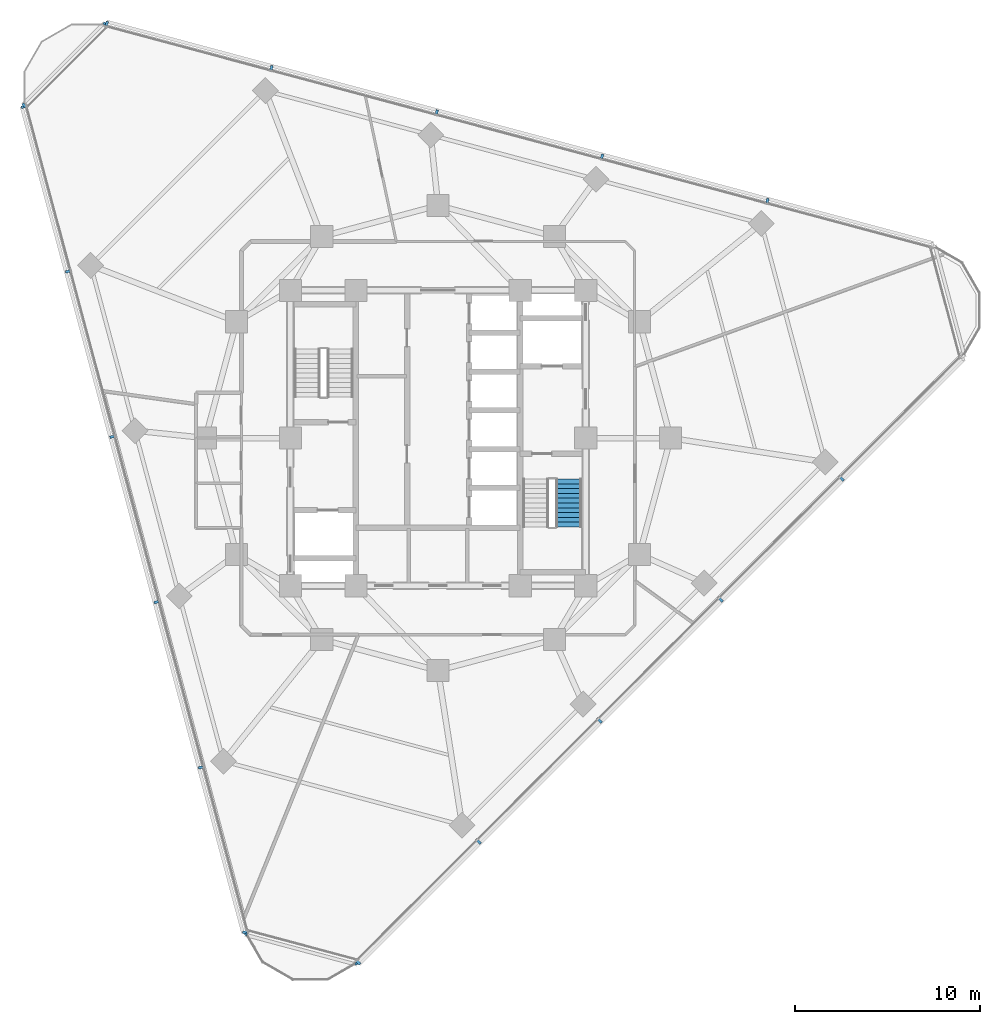
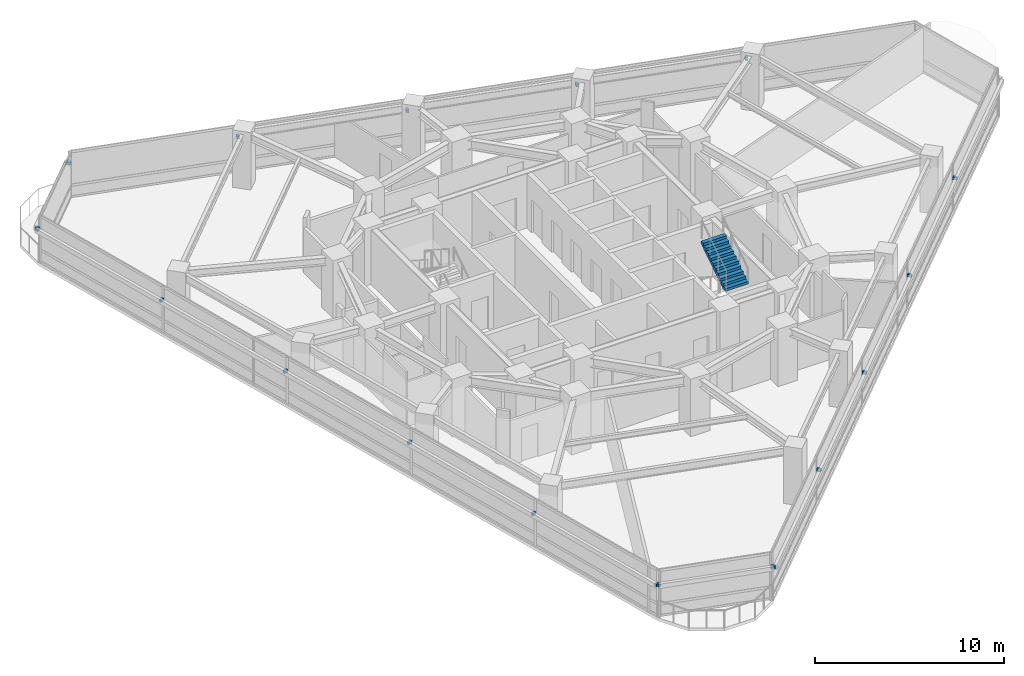
# One storey, part 9 of 13: 20 discrete accessories, 1 stair flight, 1 element without a shape of its own.
"""IFC4 building model written with IfcOpenShell, lengths in metres."""

from ifc_helpers import new_model, si_unit, direction, frame, origin, origin_2d, place, context, subcontext, project, spatial, polyline, rectangle, outline, extrude, material, type_object, element, aggregate, save


model = new_model("IFC4")

# Units and contexts
model_context = context("Model", 3, precision=1e-05, world=origin(), true_north=direction((0.0, 1.0)))
body_context = subcontext(model_context, "Body", "Model", "MODEL_VIEW")
ifc_project = project(units=[si_unit("LENGTHUNIT", "METRE"), si_unit("AREAUNIT", "SQUARE_METRE"), si_unit("VOLUMEUNIT", "CUBIC_METRE"), si_unit("PLANEANGLEUNIT", "RADIAN"), si_unit("MASSUNIT", "GRAM", prefix="KILO")], contexts=[model_context])

# Site, building, storey
site_placement = place(None, origin())
site = spatial("IfcSite", under=ifc_project, at=site_placement, CompositionType="ELEMENT")
building_placement = place(site_placement, origin())
building = spatial("IfcBuilding", under=site, at=building_placement, Name="Terralouvre Media Tower", CompositionType="ELEMENT")
storey_placement = place(building_placement, frame((0.0, 0.0, 199.0)))
storey = spatial("IfcBuildingStorey", under=building, at=storey_placement, Name="L51", CompositionType="ELEMENT", Elevation=199.0)

# Stair, stair flight
ifc_material_1 = material(Name="Concrete C45/55", Category="concrete")
stair_type = type_object("IfcStairType", Name="Dogleg Stair Assembly ST-02", PredefinedType="HALF_TURN_STAIR", material=ifc_material_1)
stair_placement = place(storey_placement, origin())
stair = element("IfcStair", 1, at=stair_placement, inside=storey, type_object=stair_type, Name="L51 Core Pressurised Exit Stair ST-02", PredefinedType="HALF_TURN_STAIR")
ifc_material_2 = material(Name="Concrete C45/55", Category="concrete")
stair_flight_type = type_object("IfcStairFlightType", Name="Reinforced Concrete Stair Flight SF-RC1", PredefinedType="STRAIGHT", material=ifc_material_2)
stair_flight_placement = place(storey_placement, frame((7.080078125, -4.820068359375, 1.85009765625), z_axis=(0.0, 0.0, 1.0), x_axis=(0.0, 1.0, 0.0)))
stair_flight = element("IfcStairFlight", 2, at=stair_flight_placement, type_object=stair_flight_type, Name="ST-02 flight 2", NumberOfRisers=11, NumberOfTreads=10, PredefinedType="STRAIGHT", RiserHeight=0.168181818, TreadLength=0.26, context=body_context, shape_type="SweptSolid", body=[
    extrude(outline(polyline([(0.0, 0.0), (0.0, 0.168212890625), (0.260009765625, 0.168212890625), (0.260009765625, 0.33642578125), (0.52001953125, 0.33642578125), (0.52001953125, 0.504638671875), (0.780029296875, 0.504638671875), (0.780029296875, 0.672607421875), (1.0400390625, 0.672607421875), (1.0400390625, 0.8408203125), (1.300048828125, 0.8408203125), (1.300048828125, 1.009033203125), (1.56005859375, 1.009033203125), (1.56005859375, 1.17724609375), (1.820068359375, 1.17724609375), (1.820068359375, 1.345458984375), (2.080078125, 1.345458984375), (2.080078125, 1.513671875), (2.340087890625, 1.513671875), (2.340087890625, 1.681884765625), (2.60009765625, 1.681884765625), (2.60009765625, 1.85009765625), (2.60009765625, 1.503173828125), (0.27587890625, 0.0), (0.0, 0.0)])), frame((0.0, 0.699951171875, 0.0), z_axis=(0.0, -1.0, 0.0), x_axis=(1.0, 0.0, 0.0)), (0.0, 0.0, 1.0), 1.39990234375),
])
aggregate(stair, [stair_flight])

# Discrete accessories
ifc_material_3 = material(Name="Anodised extruded aluminium 6063-T6", Category="aluminium")
discrete_accessory_type = type_object("IfcDiscreteAccessoryType", Name="Mullion Stand-Off Baguette Fixing Bracket BK-01", PredefinedType="BRACKET", material=ifc_material_3)
for number, where, z_axis, x_axis, name in (
    (3, (-4.31298828125, -28.41552734375, 2.07421875), (0.0, 0.0, 1.0), (0.707106781187, 0.707106781187, 0.0), "CW-L51-F0 Baguette Outrigger Bracket 1.01"),
    (4, (2.216796875, -21.8857421875, 2.07421875), (0.0, 0.0, 1.0), (0.707106781187, 0.707106781187, 0.0), "CW-L51-F0 Baguette Outrigger Bracket 1.02"),
    (5, (8.77294921875, -15.329345703125, 2.07421875), (0.0, 0.0, 1.0), (0.707106781187, 0.707106781187, 0.0), "CW-L51-F0 Baguette Outrigger Bracket 1.03"),
    (6, (15.329345703125, -8.77294921875, 2.07421875), (0.0, 0.0, 1.0), (0.707106781187, 0.707106781187, 0.0), "CW-L51-F0 Baguette Outrigger Bracket 1.04"),
    (7, (21.8857421875, -2.216796875, 2.07421875), (0.0, 0.0, 1.0), (0.707106781187, 0.707106781187, 0.0), "CW-L51-F0 Baguette Outrigger Bracket 1.05"),
    (8, (17.84521484375, 12.862548828125, 2.07421875), (0.0, 0.0, 1.0), (-0.96592582942, 0.25881903342, 0.0), "CW-L51-F1 Baguette Outrigger Bracket 1.02"),
    (9, (8.88916015625, 15.262451171875, 2.07421875), (0.0, 0.0, 1.0), (-0.96592582942, 0.25881903342, 0.0), "CW-L51-F1 Baguette Outrigger Bracket 1.03"),
    (10, (-0.06689453125, 17.662109375, 2.07421875), (0.0, 0.0, 1.0), (-0.96592582942, 0.25881903342, 0.0), "CW-L51-F1 Baguette Outrigger Bracket 1.04"),
    (11, (-9.02294921875, 20.06201171875, 2.07421875), (0.0, 0.0, 1.0), (-0.96592582942, 0.25881903342, 0.0), "CW-L51-F1 Baguette Outrigger Bracket 1.05"),
    (12, (-17.94287109375, 22.451904296875, 2.07421875), (0.0, 0.0, 1.0), (-0.96592582942, 0.25881903342, 0.0), "CW-L51-F1 Baguette Outrigger Bracket 1.06"),
    (13, (-22.451904296875, 17.94287109375, 2.07421875), (0.0, 0.0, 1.0), (0.25881903342, -0.96592582942, 0.0), "CW-L51-F2 Baguette Outrigger Bracket 1.01"),
    (14, (-20.06201171875, 9.02294921875, 2.07421875), (0.0, 0.0, 1.0), (0.25881903342, -0.96592582942, 0.0), "CW-L51-F2 Baguette Outrigger Bracket 1.02"),
    (15, (-17.662109375, 0.06689453125, 2.07421875), (0.0, 0.0, 1.0), (0.25881903342, -0.96592582942, 0.0), "CW-L51-F2 Baguette Outrigger Bracket 1.03"),
    (16, (-15.262451171875, -8.88916015625, 2.07421875), (0.0, 0.0, 1.0), (0.25881903342, -0.96592582942, 0.0), "CW-L51-F2 Baguette Outrigger Bracket 1.04"),
    (17, (-12.862548828125, -17.84521484375, 2.07421875), (0.0, 0.0, 1.0), (0.25881903342, -0.96592582942, 0.0), "CW-L51-F2 Baguette Outrigger Bracket 1.05"),
    (18, (-10.472412109375, -26.764892578125, 2.07421875), (0.0, 0.0, 1.0), (0.25881903342, -0.96592582942, 0.0), "CW-L51-F2 Baguette Outrigger Bracket 1.06"),
    (19, (-10.39306640625, -26.81982421875, 2.07421875), (0.0, 0.0, 1.0), (0.965925911218, -0.258818728144, 0.0), "CW-L51-C0 Baguette Outrigger Bracket 1.01"),
    (20, (-4.4091796875, -28.42333984375, 2.07421875), (0.0, 0.0, 1.0), (0.965925911218, -0.258818728144, 0.0), "CW-L51-C0 Baguette Outrigger Bracket 1.02"),
    (21, (-18.030029296875, 22.41064453125, 2.07421875), (0.0, 0.0, 1.0), (-0.707106781187, -0.707106781187, 0.0), "CW-L51-C2 Baguette Outrigger Bracket 1.01"),
    (22, (-22.41064453125, 18.030029296875, 2.07421875), (0.0, 0.0, 1.0), (-0.707106781187, -0.707106781187, 0.0), "CW-L51-C2 Baguette Outrigger Bracket 1.02"),
):
    element("IfcDiscreteAccessory", number, at=place(storey_placement, frame(where, z_axis=z_axis, x_axis=x_axis)), inside=storey, type_object=discrete_accessory_type, Name=name, PredefinedType="BRACKET", context=body_context, shape_type="SweptSolid", body=[
        extrude(rectangle(XDim=0.139892578125, YDim=0.239990234375, at=origin_2d()), origin(), (0.0, 0.0, 1.0), 0.179931640625),
    ])

save(model, "model.ifc")
